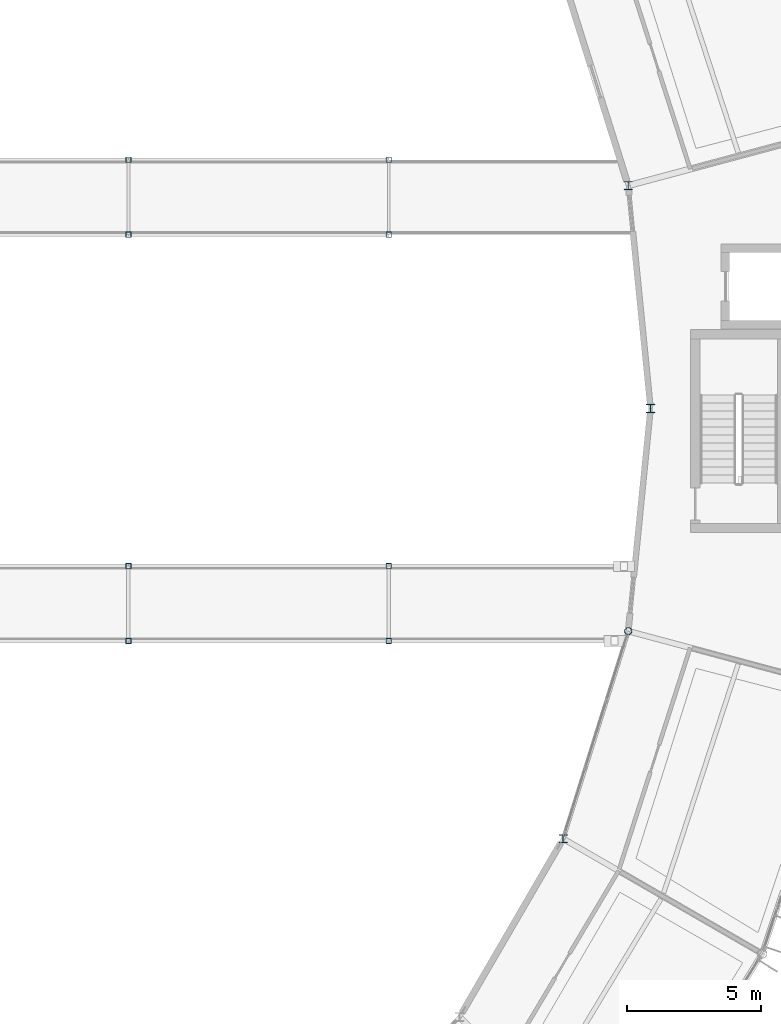
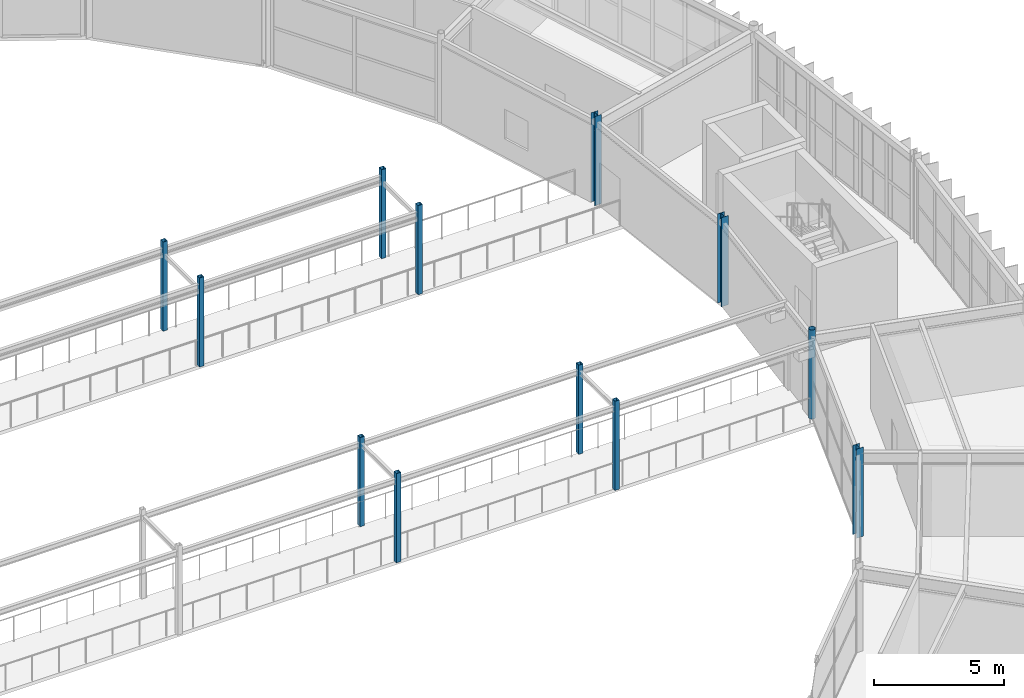
# One storey, part 9 of 148: 12 columns.
"""IFC4 building model written with IfcOpenShell, lengths in metres."""

import ifcopenshell
import ifcopenshell.guid

model = None  # the IFC model being written
_history = None  # IfcOwnerHistory: only IFC2X3 demands one
_inside = {}  # id of a spatial element -> (the spatial element, [elements in it])
_under = {}  # id of a project, library or spatial element -> (it, [spatial elements below it])
_declared = {}  # id of a project -> (the project, [libraries it declares])
_typed = {}  # id of a type object -> (the type object, [elements of that type])
_made_of = {}  # id of a material, layer set ... -> (it, [elements and type objects made of it])


def new_model(schema):
    """Start an empty IFC model of exactly this schema.

    Asked for "IFC4X3", IfcOpenShell would pick the latest addendum, in which some entities
    have other attributes; the version numbers below select the first issue.
    IFC2X3 requires an IfcOwnerHistory on every rooted entity: one is made here for all.
    """
    global model, _history
    if schema == "IFC4X3":
        model = ifcopenshell.file(schema_version=(4, 3, 0, 0))
    else:
        model = ifcopenshell.file(schema=schema)
    _inside.clear()
    _under.clear()
    _declared.clear()
    _typed.clear()
    _made_of.clear()
    _history = None
    if model.schema == "IFC2X3":
        org = make("IfcOrganization", Name="unknown")
        user = make(
            "IfcPersonAndOrganization",
            ThePerson=make("IfcPerson", FamilyName="unknown"),
            TheOrganization=org,
        )
        app = make(
            "IfcApplication",
            ApplicationDeveloper=org,
            Version="unknown",
            ApplicationFullName="unknown",
            ApplicationIdentifier="unknown",
        )
        _history = make(
            "IfcOwnerHistory",
            OwningUser=user,
            OwningApplication=app,
            ChangeAction="ADDED",
            CreationDate=0,
        )
    return model


def make(cls, **values):
    """One entity of the class cls with the attributes given. An attribute that is None is left unset."""
    return model.create_entity(
        cls, **{name: value for name, value in values.items() if value is not None}
    )


def rooted(cls, **values):
    """An entity with a GlobalId (a new one), such as an element, a storey or a relation."""
    return make(cls, GlobalId=ifcopenshell.guid.new(), OwnerHistory=_history, **values)


def si_unit(unit_type, name, prefix=None):
    """IfcSIUnit, for example si_unit("LENGTHUNIT", "METRE", prefix="MILLI")."""
    return make("IfcSIUnit", UnitType=unit_type, Prefix=prefix, Name=name)


def assignment(units):
    """IfcUnitAssignment: the units of a project."""
    return None if units is None else make("IfcUnitAssignment", Units=units)


def point(xyz):
    """IfcCartesianPoint."""
    return None if xyz is None else make("IfcCartesianPoint", Coordinates=xyz)


def direction(xyz):
    """IfcDirection."""
    return None if xyz is None else make("IfcDirection", DirectionRatios=xyz)


def frame(location, z_axis=None, x_axis=None):
    """IfcAxis2Placement3D, a coordinate frame: its origin and axes. An axis left out is left unset."""
    return make(
        "IfcAxis2Placement3D",
        Location=point(location),
        Axis=direction(z_axis),
        RefDirection=direction(x_axis),
    )


def frame_2d(location, x_axis=None):
    """IfcAxis2Placement2D, a coordinate frame in the plane: its origin and x axis."""
    return make(
        "IfcAxis2Placement2D", Location=point(location), RefDirection=direction(x_axis)
    )


def origin():
    """The frame at (0, 0, 0) with its axes left unset."""
    return frame((0.0, 0.0, 0.0))


def origin_2d():
    """The frame at (0, 0) in the plane with its x axis left unset."""
    return frame_2d((0.0, 0.0))


def place(relative_to, where):
    """IfcLocalPlacement: puts the frame where relative to a parent placement (None: the world)."""
    return make(
        "IfcLocalPlacement", PlacementRelTo=relative_to, RelativePlacement=where
    )


def context(
    kind, dimensions, precision=None, world=None, true_north=None, identifier=None
):
    """IfcGeometricRepresentationContext, for example the 3D "Model" context."""
    return make(
        "IfcGeometricRepresentationContext",
        ContextIdentifier=identifier,
        ContextType=kind,
        CoordinateSpaceDimension=dimensions,
        Precision=precision,
        WorldCoordinateSystem=world,
        TrueNorth=true_north,
    )


def subcontext(parent, identifier, kind, view, scale=None):
    """IfcGeometricRepresentationSubContext, for example "Body" below "Model"."""
    return make(
        "IfcGeometricRepresentationSubContext",
        ContextIdentifier=identifier,
        ContextType=kind,
        ParentContext=parent,
        TargetScale=scale,
        TargetView=view,
    )


def project(units=None, contexts=None):
    """IfcProject with its units and contexts."""
    return rooted(
        "IfcProject",
        Name="project",
        RepresentationContexts=contexts,
        UnitsInContext=assignment(units),
    )


def spatial(cls, under=None, at=None, **own):
    """A site, building, storey or space (cls), placed at a placement, below another one or the project."""
    s = rooted(cls, ObjectPlacement=at, **own)
    if under is not None:
        _under.setdefault(under.id(), (under, []))[1].append(s)
    return s


def profile(cls, at=None, kind="AREA", **sizes):
    """A parametric profile (cls). Its sizes go by their IFC names, for example OverallWidth=200.0."""
    return make(cls, ProfileType=kind, Position=at, **sizes)


def hollow_rectangle(**sizes):
    """IfcRectangleHollowProfileDef."""
    return profile("IfcRectangleHollowProfileDef", **sizes)


def hollow_circle(**sizes):
    """IfcCircleHollowProfileDef."""
    return profile("IfcCircleHollowProfileDef", **sizes)


def i_section(**sizes):
    """IfcIShapeProfileDef."""
    return profile("IfcIShapeProfileDef", **sizes)


def extrude(swept, where, along, depth):
    """IfcExtrudedAreaSolid: the profile swept, set in the frame where, extruded along a direction by depth."""
    return make(
        "IfcExtrudedAreaSolid",
        SweptArea=swept,
        Position=where,
        ExtrudedDirection=direction(along),
        Depth=depth,
    )


def shape(context_of_items, identifier, shape_type, items):
    """IfcShapeRepresentation: the items that make up one representation, for example the "Body"."""
    return make(
        "IfcShapeRepresentation",
        ContextOfItems=context_of_items,
        RepresentationIdentifier=identifier,
        RepresentationType=shape_type,
        Items=items,
    )


def material(Name=None, Category=None):
    """IfcMaterial."""
    return make("IfcMaterial", Name=Name, Category=Category)


def material_profile(
    of_material, cross_section, Name=None, Category=None, Priority=None
):
    """IfcMaterialProfile: a cross section and its material."""
    return make(
        "IfcMaterialProfile",
        Name=Name,
        Material=of_material,
        Profile=cross_section,
        Priority=Priority,
        Category=Category,
    )


def profile_set(profiles, Name=None, composite=None):
    """IfcMaterialProfileSet."""
    return make(
        "IfcMaterialProfileSet",
        Name=Name,
        MaterialProfiles=profiles,
        CompositeProfile=composite,
    )


def made_of(thing, what):
    """Note that an element or type object is made of a material, layer set ...; save() writes the relation."""
    if what is not None:
        _made_of.setdefault(what.id(), (what, []))[1].append(thing)
    return thing


def type_object(cls, material=None, **own):
    """A type object (cls), such as IfcWallType, which elements share."""
    return made_of(rooted(cls, **own), material)


def element(
    cls,
    number,
    at=None,
    inside=None,
    cuts=None,
    type_object=None,
    material=None,
    context=None,
    identifier="Body",
    shape_type=None,
    held_by="IfcProductDefinitionShape",
    body=None,
    shapes=None,
    **own,
):
    """One element of the class cls, such as IfcWall. Its Tag is "e" and its number.

    at: its placement. inside: the storey or other place that contains it. cuts: it is an
    opening in that element (IfcRelVoidsElement). A single representation is given by context,
    identifier, shape_type and body (its items); several are given by shapes. held_by: the class
    of the entity that holds the representations. save() writes the other relations.
    """
    e = rooted(cls, Tag="e%d" % number, ObjectPlacement=at, **own)
    if body is not None:
        shapes = [shape(context, identifier, shape_type, body)]
    if shapes is not None:
        e.Representation = make(held_by, Representations=shapes)
    if inside is not None:
        _inside.setdefault(inside.id(), (inside, []))[1].append(e)
    if cuts is not None:
        rooted(
            "IfcRelVoidsElement", RelatingBuildingElement=cuts, RelatedOpeningElement=e
        )
    if type_object is not None:
        _typed.setdefault(type_object.id(), (type_object, []))[1].append(e)
    return made_of(e, material)


def aggregate(whole, parts):
    """IfcRelAggregates: a whole, such as a stair, and the parts it consists of."""
    return rooted("IfcRelAggregates", RelatingObject=whole, RelatedObjects=parts)


def save(model, path):
    """Write the relations noted so far, then the file.

    IfcRelAggregates (storeys below a building ...), IfcRelContainedInSpatialStructure (elements
    in a storey), IfcRelDefinesByType, IfcRelAssociatesMaterial and IfcRelDeclares: one each for
    every whole, place, type object, material and project.
    """
    for whole, parts in _under.values():
        aggregate(whole, parts)
    for where, things in _inside.values():
        rooted(
            "IfcRelContainedInSpatialStructure",
            RelatedElements=things,
            RelatingStructure=where,
        )
    for kind, things in _typed.values():
        rooted("IfcRelDefinesByType", RelatedObjects=things, RelatingType=kind)
    for what, things in _made_of.values():
        rooted("IfcRelAssociatesMaterial", RelatedObjects=things, RelatingMaterial=what)
    for by, libraries in _declared.values():
        rooted("IfcRelDeclares", RelatingContext=by, RelatedDefinitions=libraries)
    model.write(path)


model = new_model("IFC4")

# Units and contexts
model_context = context("Model", 3, precision=1e-05, world=origin(), true_north=direction((0.0, 1.0)))
body_context = subcontext(model_context, "Body", "Model", "MODEL_VIEW")
ifc_project = project(units=[si_unit("LENGTHUNIT", "METRE"), si_unit("AREAUNIT", "SQUARE_METRE"), si_unit("VOLUMEUNIT", "CUBIC_METRE"), si_unit("PLANEANGLEUNIT", "RADIAN"), si_unit("MASSUNIT", "GRAM", prefix="KILO")], contexts=[model_context])

# Site, building, storey
site_placement = place(None, origin())
site = spatial("IfcSite", under=ifc_project, at=site_placement, CompositionType="ELEMENT")
building_placement = place(site_placement, origin())
building = spatial("IfcBuilding", under=site, at=building_placement, Name="Karori Crest Natural Sciences Institute", CompositionType="ELEMENT")
storey_placement = place(building_placement, frame((0.0, 0.0, 4.89990234375)))
storey = spatial("IfcBuildingStorey", under=building, at=storey_placement, Name="L01", CompositionType="ELEMENT", Elevation=4.89990234375)

# Columns
ifc_material_1 = material(Name="Structural steel AS/NZS 3679.1 Grade 350", Category="steel")
ifc_material_profile_1 = material_profile(ifc_material_1, i_section(OverallWidth=0.306884765625, OverallDepth=0.31494140625, WebThickness=0.011962890625, FlangeThickness=0.018798828125, FilletRadius=0.01708984375, at=origin_2d()), Name="310UC118")
ifc_profile_set_1 = profile_set([ifc_material_profile_1], Name="Structural steel AS/NZS 3679.1 Grade 350")
column_type_1 = type_object("IfcColumnType", Name="CT-05", PredefinedType="COLUMN", material=ifc_profile_set_1)
column_1_placement = place(storey_placement, frame((90.800048828125, 49.89990234375, 0.0), z_axis=(0.0, 0.0, 1.0), x_axis=(1.0, 0.0, 0.0)))
element("IfcColumn", 1, at=column_1_placement, inside=storey, type_object=column_type_1, Name="Column C-0006", PredefinedType="COLUMN", context=body_context, shape_type="SweptSolid", body=[
    extrude(i_section(OverallWidth=0.306884765625, OverallDepth=0.31494140625, WebThickness=0.011962890625, FlangeThickness=0.018798828125, FilletRadius=0.01708984375, at=origin_2d()), origin(), (0.0, 0.0, 1.0), 4.2001953125),
])
ifc_material_2 = material(Name="Hollow structural steel AS/NZS 1163 Grade C350", Category="steel")
ifc_material_profile_2 = material_profile(ifc_material_2, hollow_rectangle(XDim=0.199951171875, YDim=0.199951171875, WallThickness=0.010009765625, at=origin_2d()), Name="SHS200x200x10")
ifc_profile_set_2 = profile_set([ifc_material_profile_2], Name="Hollow structural steel AS/NZS 1163 Grade C350")
column_type_2 = type_object("IfcColumnType", Name="CT-13-EL", PredefinedType="COLUMN", material=ifc_profile_set_2)
for number, where, z_axis, x_axis, name in (
    (2, (71.27001953125, 41.199951171875, 0.0), (0.0, 0.0, 1.0), (1.0, 0.0, 0.0), "Column C-0419"),
    (3, (71.27001953125, 44.0, 0.0), (0.0, 0.0, 1.0), (1.0, 0.0, 0.0), "Column C-0424"),
    (4, (81.010009765625, 41.199951171875, 0.0), (0.0, 0.0, 1.0), (1.0, 0.0, 0.0), "Column C-0429"),
    (5, (81.010009765625, 44.0, 0.0), (0.0, 0.0, 1.0), (1.0, 0.0, 0.0), "Column C-0434"),
    (6, (71.27001953125, 56.39990234375, 0.0), (0.0, 0.0, 1.0), (1.0, 0.0, 0.0), "Column C-0455"),
    (7, (71.27001953125, 59.199951171875, 0.0), (0.0, 0.0, 1.0), (1.0, 0.0, 0.0), "Column C-0459"),
    (8, (81.010009765625, 56.39990234375, 0.0), (0.0, 0.0, 1.0), (1.0, 0.0, 0.0), "Column C-0463"),
    (9, (81.010009765625, 59.199951171875, 0.0), (0.0, 0.0, 1.0), (1.0, 0.0, 0.0), "Column C-0467"),
):
    element("IfcColumn", number, at=place(storey_placement, frame(where, z_axis=z_axis, x_axis=x_axis)), inside=storey, type_object=column_type_2, Name=name, PredefinedType="COLUMN", context=body_context, shape_type="SweptSolid", body=[
        extrude(hollow_rectangle(XDim=0.199951171875, YDim=0.199951171875, WallThickness=0.010009765625, at=origin_2d()), origin(), (0.0, 0.0, 1.0), 4.2001953125),
    ])
ifc_material_profile_3 = material_profile(ifc_material_2, hollow_circle(Radius=0.136474609375, WallThickness=0.00927734375, at=origin_2d()), Name="CHS273.0x9.3")
ifc_profile_set_3 = profile_set([ifc_material_profile_3], Name="Hollow structural steel AS/NZS 1163 Grade C350")
column_type_3 = type_object("IfcColumnType", Name="CT-16", PredefinedType="COLUMN", material=ifc_profile_set_3)
column_2_placement = place(storey_placement, frame((89.968505859375, 41.56591796875, 0.0), z_axis=(0.0, 0.0, 1.0), x_axis=(1.0, 0.0, 0.0)))
element("IfcColumn", 10, at=column_2_placement, inside=storey, type_object=column_type_3, Name="Column C-0384", PredefinedType="COLUMN", context=body_context, shape_type="SweptSolid", body=[
    extrude(hollow_circle(Radius=0.136474609375, WallThickness=0.00927734375, at=origin_2d()), origin(), (0.0, 0.0, 1.0), 4.2001953125),
])
ifc_material_profile_4 = material_profile(ifc_material_1, i_section(OverallWidth=0.304931640625, OverallDepth=0.30810546875, WebThickness=0.010009765625, FlangeThickness=0.015380859375, FilletRadius=0.01708984375, at=origin_2d()), Name="310UC96.8")
ifc_profile_set_4 = profile_set([ifc_material_profile_4], Name="Structural steel AS/NZS 3679.1 Grade 350")
column_type_4 = type_object("IfcColumnType", Name="CT-25", PredefinedType="COLUMN", material=ifc_profile_set_4)
for number, where, z_axis, x_axis, name in (
    (11, (89.968505859375, 58.23388671875, 0.0), (0.0, 0.0, 1.0), (1.0, 0.0, 0.0), "Column C-0024"),
    (12, (87.531005859375, 33.800048828125, 0.0), (0.0, 0.0, 1.0), (1.0, 0.0, 0.0), "Column C-0366"),
):
    element("IfcColumn", number, at=place(storey_placement, frame(where, z_axis=z_axis, x_axis=x_axis)), inside=storey, type_object=column_type_4, Name=name, PredefinedType="COLUMN", context=body_context, shape_type="SweptSolid", body=[
        extrude(i_section(OverallWidth=0.304931640625, OverallDepth=0.30810546875, WebThickness=0.010009765625, FlangeThickness=0.015380859375, FilletRadius=0.01708984375, at=origin_2d()), origin(), (0.0, 0.0, 1.0), 4.2001953125),
    ])

save(model, "model.ifc")
